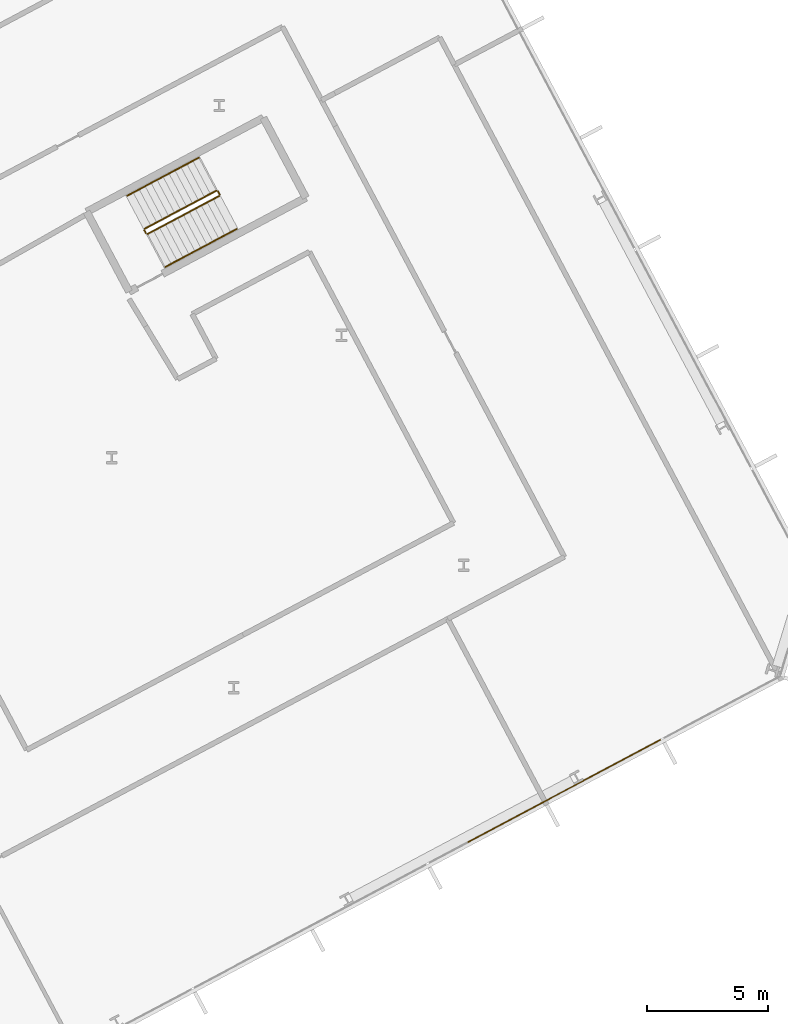
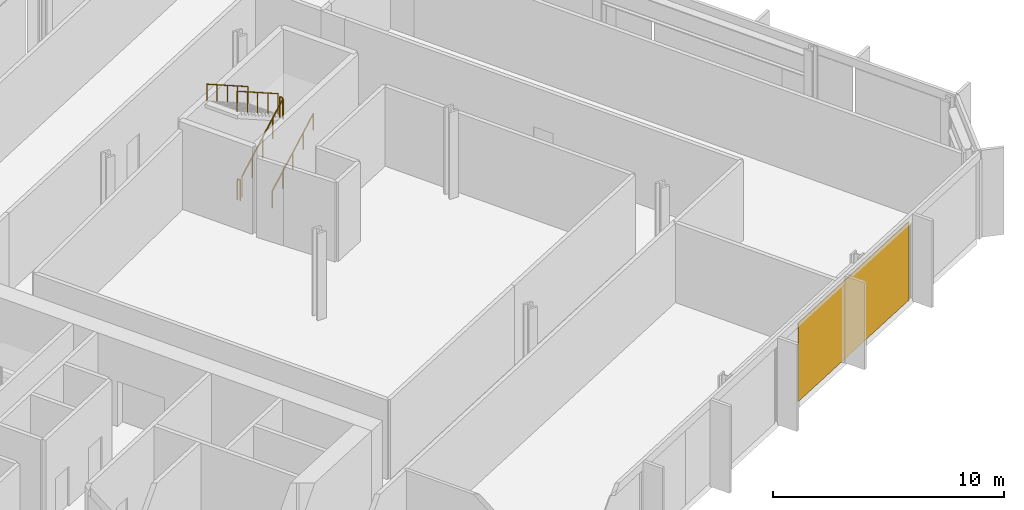
# One storey, part 29 of 30: 6 railings, 1 covering, 1 element without a shape of its own.
"""IFC4 building model written with IfcOpenShell, lengths in metres."""

from ifc_helpers import new_model, si_unit, direction, frame, origin, origin_2d, place, context, subcontext, project, spatial, polyline, rectangle, outline, extrude, material, layer, layer_set, type_object, element, aggregate, save


model = new_model("IFC4")

# Units and contexts
model_context = context("Model", 3, precision=1e-05, world=origin(), true_north=direction((0.0, 1.0)))
body_context = subcontext(model_context, "Body", "Model", "MODEL_VIEW")
ifc_project = project(units=[si_unit("LENGTHUNIT", "METRE"), si_unit("AREAUNIT", "SQUARE_METRE"), si_unit("VOLUMEUNIT", "CUBIC_METRE"), si_unit("PLANEANGLEUNIT", "RADIAN"), si_unit("MASSUNIT", "GRAM", prefix="KILO")], contexts=[model_context])

# Site, building, storey
site_placement = place(None, origin())
site = spatial("IfcSite", under=ifc_project, at=site_placement, CompositionType="ELEMENT")
building_placement = place(site_placement, origin())
building = spatial("IfcBuilding", under=site, at=building_placement, Name="Cormorant Relay Tower", CompositionType="ELEMENT")
storey_placement = place(building_placement, frame((0.0, 0.0, 84.60009765625)))
storey = spatial("IfcBuildingStorey", under=building, at=storey_placement, Name="L16", CompositionType="ELEMENT", Elevation=84.60009765625)

# Curtain wall, covering
ifc_material_1 = material(Name="Aluminium 6063-T6 anodised bronze", Category="aluminium")
ifc_layer_1 = layer(ifc_material_1, 0.199951171875)
ifc_layer_set_1 = layer_set([ifc_layer_1], Name="CW1 unitised bronze curtain wall with vertical fins")
curtain_wall_type = type_object("IfcCurtainWallType", Name="CW1 unitised bronze curtain wall with vertical fins", PredefinedType="NOTDEFINED", material=ifc_layer_set_1)
curtain_wall_placement = place(storey_placement, origin())
curtain_wall = element("IfcCurtainWall", 1, at=curtain_wall_placement, inside=storey, type_object=curtain_wall_type, Name="CW1 curtain wall 2", PredefinedType="NOTDEFINED")
ifc_material_2 = material(Name="Pale bronze anodised aluminium insulated panel", Category="aluminium")
ifc_layer_2 = layer(ifc_material_2, 0.0400390625)
ifc_layer_set_2 = layer_set([ifc_layer_2], Name="CW1 pale bronze insulated panel 40")
covering_type = type_object("IfcCoveringType", Name="CW1 pale bronze insulated panel 40", PredefinedType="CLADDING", material=ifc_layer_set_2)
covering_placement = place(storey_placement, frame((61.85302734375, 9.081298828125, 0.0), z_axis=(0.0, 0.0, 1.0), x_axis=(0.882947592859, 0.469471562786, 0.0)))
covering = element("IfcCovering", 2, at=covering_placement, type_object=covering_type, Name="CW1 panel S13", PredefinedType="CLADDING", context=body_context, shape_type="SweptSolid", body=[
    extrude(rectangle(XDim=9.07373046875, YDim=0.0400390625, at=origin_2d()), origin(), (0.0, 0.0, 1.0), 4.14990234375),
])
aggregate(curtain_wall, [covering])

# Railings
ifc_material_3 = material(Name="Steel ASTM A572 Grade 50 (Fy 345 MPa)", Category="steel")
railing_type_1 = type_object("IfcRailingType", Name="Stair guard 1100", PredefinedType="GUARDRAIL", material=ifc_material_3)
railing_1_placement = place(storey_placement, frame((44.583740234375, 32.186279296875, 0.1767578125)))
element("IfcRailing", 3, at=railing_1_placement, inside=storey, type_object=railing_type_1, Name="L16 RB1 stair guard 1", PredefinedType="GUARDRAIL", context=body_context, shape_type="SweptSolid", body=[
    extrude(outline(polyline([(0.022216796875, 0.00927734375), (0.00927734375, 0.022216796875), (-0.00927734375, 0.022216796875), (-0.022216796875, 0.00927734375), (-0.022216796875, -0.00927734375), (-0.00927734375, -0.022216796875), (0.00927734375, -0.022216796875), (0.022216796875, -0.00927734375), (0.022216796875, 0.00927734375)])), frame((0.0, 0.0, 1.076171875), z_axis=(0.746422470992, 0.396920836698, 0.534141689248), x_axis=(-0.469509342547, 0.882927503967, 0.0)), (0.0, 0.0, 1.0), 3.974609375),
    extrude(outline(polyline([(0.019287109375, 0.008056640625), (0.008056640625, 0.019287109375), (-0.008056640625, 0.019287109375), (-0.019287109375, 0.008056640625), (-0.019287109375, -0.008056640625), (-0.008056640625, -0.019287109375), (0.008056640625, -0.019287109375), (0.019287109375, -0.008056640625), (0.019287109375, 0.008056640625)])), origin(), (0.0, 0.0, 1.0), 1.052001953125),
    extrude(outline(polyline([(0.019287109375, 0.008056640625), (0.008056640625, 0.019287109375), (-0.008056640625, 0.019287109375), (-0.019287109375, 0.008056640625), (-0.019287109375, -0.008056640625), (-0.008056640625, -0.019287109375), (0.008056640625, -0.019287109375), (0.019287109375, -0.008056640625), (0.019287109375, 0.008056640625)])), frame((0.74169921875, 0.39453125, 0.53076171875)), (0.0, 0.0, 1.0), 1.052001953125),
    extrude(outline(polyline([(0.019287109375, 0.008056640625), (0.008056640625, 0.019287109375), (-0.008056640625, 0.019287109375), (-0.019287109375, 0.008056640625), (-0.019287109375, -0.008056640625), (-0.008056640625, -0.019287109375), (0.008056640625, -0.019287109375), (0.019287109375, -0.008056640625), (0.019287109375, 0.008056640625)])), frame((1.4833984375, 0.788818359375, 1.0615234375)), (0.0, 0.0, 1.0), 1.052001953125),
    extrude(outline(polyline([(0.019287109375, 0.008056640625), (0.008056640625, 0.019287109375), (-0.008056640625, 0.019287109375), (-0.019287109375, 0.008056640625), (-0.019287109375, -0.008056640625), (-0.008056640625, -0.019287109375), (0.008056640625, -0.019287109375), (0.019287109375, -0.008056640625), (0.019287109375, 0.008056640625)])), frame((2.22509765625, 1.18310546875, 1.59228515625)), (0.0, 0.0, 1.0), 1.052001953125),
    extrude(outline(polyline([(0.019287109375, 0.008056640625), (0.008056640625, 0.019287109375), (-0.008056640625, 0.019287109375), (-0.019287109375, 0.008056640625), (-0.019287109375, -0.008056640625), (-0.008056640625, -0.019287109375), (0.008056640625, -0.019287109375), (0.019287109375, -0.008056640625), (0.019287109375, 0.008056640625)])), frame((2.966796875, 1.57763671875, 2.123046875)), (0.0, 0.0, 1.0), 1.052001953125),
])
railing_2_placement = place(storey_placement, frame((47.571044921875, 33.831298828125, 2.2998046875)))
element("IfcRailing", 4, at=railing_2_placement, inside=storey, type_object=railing_type_1, Name="L16 RB1 stair guard 2", PredefinedType="GUARDRAIL", context=body_context, shape_type="SweptSolid", body=[
    extrude(outline(polyline([(0.022216796875, 0.00927734375), (0.00927734375, 0.022216796875), (-0.00927734375, 0.022216796875), (-0.022216796875, 0.00927734375), (-0.022216796875, -0.00927734375), (-0.00927734375, -0.022216796875), (0.00927734375, -0.022216796875), (0.022216796875, -0.00927734375), (0.022216796875, 0.00927734375)])), frame((0.0, 0.0, 1.076171875), z_axis=(-0.46856034887, 0.8834314911, 0.0), x_axis=(-0.8834314911, -0.46856034887, 0.0)), (0.0, 0.0, 1.0), 0.150146484375),
    extrude(outline(polyline([(0.019287109375, 0.008056640625), (0.008056640625, 0.019287109375), (-0.008056640625, 0.019287109375), (-0.019287109375, 0.008056640625), (-0.019287109375, -0.008056640625), (-0.008056640625, -0.019287109375), (0.008056640625, -0.019287109375), (0.019287109375, -0.008056640625), (0.019287109375, 0.008056640625)])), origin(), (0.0, 0.0, 1.0), 1.052001953125),
    extrude(outline(polyline([(0.019287109375, 0.008056640625), (0.008056640625, 0.019287109375), (-0.008056640625, 0.019287109375), (-0.019287109375, 0.008056640625), (-0.019287109375, -0.008056640625), (-0.008056640625, -0.019287109375), (0.008056640625, -0.019287109375), (0.019287109375, -0.008056640625), (0.019287109375, 0.008056640625)])), frame((-0.0703125, 0.132568359375, 0.0)), (0.0, 0.0, 1.0), 1.052001953125),
])
railing_3_placement = place(storey_placement, frame((47.43310546875, 33.984619140625, 2.476806640625)))
element("IfcRailing", 5, at=railing_3_placement, inside=storey, type_object=railing_type_1, Name="L16 RB1 stair guard 3", PredefinedType="GUARDRAIL", context=body_context, shape_type="SweptSolid", body=[
    extrude(outline(polyline([(0.022216796875, 0.00927734375), (0.00927734375, 0.022216796875), (-0.00927734375, 0.022216796875), (-0.022216796875, 0.00927734375), (-0.022216796875, -0.00927734375), (-0.00927734375, -0.022216796875), (0.00927734375, -0.022216796875), (0.022216796875, -0.00927734375), (0.022216796875, 0.00927734375)])), frame((0.0, 0.0, 1.076171875), z_axis=(-0.746440668329, -0.396869088057, 0.534154711306), x_axis=(0.46945269911, -0.882957622595, 0.0)), (0.0, 0.0, 1.0), 3.974609375),
    extrude(outline(polyline([(0.019287109375, 0.008056640625), (0.008056640625, 0.019287109375), (-0.008056640625, 0.019287109375), (-0.019287109375, 0.008056640625), (-0.019287109375, -0.008056640625), (-0.008056640625, -0.019287109375), (0.008056640625, -0.019287109375), (0.019287109375, -0.008056640625), (0.019287109375, 0.008056640625)])), origin(), (0.0, 0.0, 1.0), 1.052001953125),
    extrude(outline(polyline([(0.019287109375, 0.008056640625), (0.008056640625, 0.019287109375), (-0.008056640625, 0.019287109375), (-0.019287109375, 0.008056640625), (-0.019287109375, -0.008056640625), (-0.008056640625, -0.019287109375), (0.008056640625, -0.019287109375), (0.019287109375, -0.008056640625), (0.019287109375, 0.008056640625)])), frame((-0.74169921875, -0.394287109375, 0.53076171875)), (0.0, 0.0, 1.0), 1.052001953125),
    extrude(outline(polyline([(0.019287109375, 0.008056640625), (0.008056640625, 0.019287109375), (-0.008056640625, 0.019287109375), (-0.019287109375, 0.008056640625), (-0.019287109375, -0.008056640625), (-0.008056640625, -0.019287109375), (0.008056640625, -0.019287109375), (0.019287109375, -0.008056640625), (0.019287109375, 0.008056640625)])), frame((-1.4833984375, -0.78857421875, 1.0615234375)), (0.0, 0.0, 1.0), 1.052001953125),
    extrude(outline(polyline([(0.019287109375, 0.008056640625), (0.008056640625, 0.019287109375), (-0.008056640625, 0.019287109375), (-0.019287109375, 0.008056640625), (-0.019287109375, -0.008056640625), (-0.008056640625, -0.019287109375), (0.008056640625, -0.019287109375), (0.019287109375, -0.008056640625), (0.019287109375, 0.008056640625)])), frame((-2.22509765625, -1.18310546875, 1.59228515625)), (0.0, 0.0, 1.0), 1.052001953125),
    extrude(outline(polyline([(0.019287109375, 0.008056640625), (0.008056640625, 0.019287109375), (-0.008056640625, 0.019287109375), (-0.019287109375, 0.008056640625), (-0.019287109375, -0.008056640625), (-0.008056640625, -0.019287109375), (0.008056640625, -0.019287109375), (0.019287109375, -0.008056640625), (0.019287109375, 0.008056640625)])), frame((-2.966796875, -1.577392578125, 2.123046875)), (0.0, 0.0, 1.0), 1.052001953125),
])
railing_4_placement = place(storey_placement, frame((44.51611328125, 32.20703125, 0.0)))
element("IfcRailing", 6, at=railing_4_placement, inside=storey, type_object=railing_type_1, Name="L16 RB1 stair guard 4", PredefinedType="GUARDRAIL", context=body_context, shape_type="SweptSolid", body=[
    extrude(outline(polyline([(0.022216796875, 0.00927734375), (0.00927734375, 0.022216796875), (-0.00927734375, 0.022216796875), (-0.022216796875, 0.00927734375), (-0.022216796875, -0.00927734375), (-0.00927734375, -0.022216796875), (0.00927734375, -0.022216796875), (0.022216796875, -0.00927734375), (0.022216796875, 0.00927734375)])), frame((0.0, 0.0, 1.076171875), z_axis=(-0.46856034887, 0.8834314911, 0.0), x_axis=(-0.8834314911, -0.46856034887, 0.0)), (0.0, 0.0, 1.0), 0.150146484375),
    extrude(outline(polyline([(0.019287109375, 0.008056640625), (0.008056640625, 0.019287109375), (-0.008056640625, 0.019287109375), (-0.019287109375, 0.008056640625), (-0.019287109375, -0.008056640625), (-0.008056640625, -0.019287109375), (0.008056640625, -0.019287109375), (0.019287109375, -0.008056640625), (0.019287109375, 0.008056640625)])), origin(), (0.0, 0.0, 1.0), 1.052001953125),
    extrude(outline(polyline([(0.019287109375, 0.008056640625), (0.008056640625, 0.019287109375), (-0.008056640625, 0.019287109375), (-0.019287109375, 0.008056640625), (-0.019287109375, -0.008056640625), (-0.008056640625, -0.019287109375), (0.008056640625, -0.019287109375), (0.019287109375, -0.008056640625), (0.019287109375, 0.008056640625)])), frame((-0.0703125, 0.132568359375, 0.0)), (0.0, 0.0, 1.0), 1.052001953125),
])
ifc_material_4 = material(Name="Steel ASTM A572 Grade 50 (Fy 345 MPa)", Category="steel")
railing_type_2 = type_object("IfcRailingType", Name="Stair handrail 900", PredefinedType="HANDRAIL", material=ifc_material_4)
railing_5_placement = place(storey_placement, frame((45.3115234375, 30.81787109375, 0.1767578125)))
element("IfcRailing", 7, at=railing_5_placement, inside=storey, type_object=railing_type_2, Name="L16 RB1 stair handrail 1", PredefinedType="HANDRAIL", context=body_context, shape_type="SweptSolid", body=[
    extrude(outline(polyline([(0.022216796875, 0.00927734375), (0.00927734375, 0.022216796875), (-0.00927734375, 0.022216796875), (-0.022216796875, 0.00927734375), (-0.022216796875, -0.00927734375), (-0.00927734375, -0.022216796875), (0.00927734375, -0.022216796875), (0.022216796875, -0.00927734375), (0.022216796875, 0.00927734375)])), frame((0.0, 0.0, 0.8759765625), z_axis=(0.746413465702, 0.396887285154, 0.534179203172), x_axis=(-0.469482818608, 0.88294160794, 0.0)), (0.0, 0.0, 1.0), 3.974365234375),
    extrude(outline(polyline([(0.019287109375, 0.008056640625), (0.008056640625, 0.019287109375), (-0.008056640625, 0.019287109375), (-0.019287109375, 0.008056640625), (-0.019287109375, -0.008056640625), (-0.008056640625, -0.019287109375), (0.008056640625, -0.019287109375), (0.019287109375, -0.008056640625), (0.019287109375, 0.008056640625)])), origin(), (0.0, 0.0, 1.0), 0.851806640625),
    extrude(outline(polyline([(0.019287109375, 0.008056640625), (0.008056640625, 0.019287109375), (-0.008056640625, 0.019287109375), (-0.019287109375, 0.008056640625), (-0.019287109375, -0.008056640625), (-0.008056640625, -0.019287109375), (0.008056640625, -0.019287109375), (0.019287109375, -0.008056640625), (0.019287109375, 0.008056640625)])), frame((0.74169921875, 0.394287109375, 0.53076171875)), (0.0, 0.0, 1.0), 0.851806640625),
    extrude(outline(polyline([(0.019287109375, 0.008056640625), (0.008056640625, 0.019287109375), (-0.008056640625, 0.019287109375), (-0.019287109375, 0.008056640625), (-0.019287109375, -0.008056640625), (-0.008056640625, -0.019287109375), (0.008056640625, -0.019287109375), (0.019287109375, -0.008056640625), (0.019287109375, 0.008056640625)])), frame((1.4833984375, 0.78857421875, 1.0615234375)), (0.0, 0.0, 1.0), 0.851806640625),
    extrude(outline(polyline([(0.019287109375, 0.008056640625), (0.008056640625, 0.019287109375), (-0.008056640625, 0.019287109375), (-0.019287109375, 0.008056640625), (-0.019287109375, -0.008056640625), (-0.008056640625, -0.019287109375), (0.008056640625, -0.019287109375), (0.019287109375, -0.008056640625), (0.019287109375, 0.008056640625)])), frame((2.224853515625, 1.18310546875, 1.59228515625)), (0.0, 0.0, 1.0), 0.851806640625),
    extrude(outline(polyline([(0.019287109375, 0.008056640625), (0.008056640625, 0.019287109375), (-0.008056640625, 0.019287109375), (-0.019287109375, 0.008056640625), (-0.019287109375, -0.008056640625), (-0.008056640625, -0.019287109375), (0.008056640625, -0.019287109375), (0.019287109375, -0.008056640625), (0.019287109375, 0.008056640625)])), frame((2.966552734375, 1.577392578125, 2.123046875)), (0.0, 0.0, 1.0), 0.851806640625),
])
railing_6_placement = place(storey_placement, frame((46.705322265625, 35.35302734375, 2.476806640625)))
element("IfcRailing", 8, at=railing_6_placement, inside=storey, type_object=railing_type_2, Name="L16 RB1 stair handrail 2", PredefinedType="HANDRAIL", context=body_context, shape_type="SweptSolid", body=[
    extrude(outline(polyline([(0.022216796875, 0.00927734375), (0.00927734375, 0.022216796875), (-0.00927734375, 0.022216796875), (-0.022216796875, 0.00927734375), (-0.022216796875, -0.00927734375), (-0.00927734375, -0.022216796875), (0.00927734375, -0.022216796875), (0.022216796875, -0.00927734375), (0.022216796875, 0.00927734375)])), frame((0.0, 0.0, 0.8759765625), z_axis=(-0.746413465702, -0.396887285154, 0.534179203172), x_axis=(0.469482818608, -0.88294160794, 0.0)), (0.0, 0.0, 1.0), 3.974365234375),
    extrude(outline(polyline([(0.019287109375, 0.008056640625), (0.008056640625, 0.019287109375), (-0.008056640625, 0.019287109375), (-0.019287109375, 0.008056640625), (-0.019287109375, -0.008056640625), (-0.008056640625, -0.019287109375), (0.008056640625, -0.019287109375), (0.019287109375, -0.008056640625), (0.019287109375, 0.008056640625)])), origin(), (0.0, 0.0, 1.0), 0.851806640625),
    extrude(outline(polyline([(0.019287109375, 0.008056640625), (0.008056640625, 0.019287109375), (-0.008056640625, 0.019287109375), (-0.019287109375, 0.008056640625), (-0.019287109375, -0.008056640625), (-0.008056640625, -0.019287109375), (0.008056640625, -0.019287109375), (0.019287109375, -0.008056640625), (0.019287109375, 0.008056640625)])), frame((-0.74169921875, -0.394287109375, 0.53076171875)), (0.0, 0.0, 1.0), 0.851806640625),
    extrude(outline(polyline([(0.019287109375, 0.008056640625), (0.008056640625, 0.019287109375), (-0.008056640625, 0.019287109375), (-0.019287109375, 0.008056640625), (-0.019287109375, -0.008056640625), (-0.008056640625, -0.019287109375), (0.008056640625, -0.019287109375), (0.019287109375, -0.008056640625), (0.019287109375, 0.008056640625)])), frame((-1.4833984375, -0.78857421875, 1.0615234375)), (0.0, 0.0, 1.0), 0.851806640625),
    extrude(outline(polyline([(0.019287109375, 0.008056640625), (0.008056640625, 0.019287109375), (-0.008056640625, 0.019287109375), (-0.019287109375, 0.008056640625), (-0.019287109375, -0.008056640625), (-0.008056640625, -0.019287109375), (0.008056640625, -0.019287109375), (0.019287109375, -0.008056640625), (0.019287109375, 0.008056640625)])), frame((-2.224853515625, -1.18310546875, 1.59228515625)), (0.0, 0.0, 1.0), 0.851806640625),
    extrude(outline(polyline([(0.019287109375, 0.008056640625), (0.008056640625, 0.019287109375), (-0.008056640625, 0.019287109375), (-0.019287109375, 0.008056640625), (-0.019287109375, -0.008056640625), (-0.008056640625, -0.019287109375), (0.008056640625, -0.019287109375), (0.019287109375, -0.008056640625), (0.019287109375, 0.008056640625)])), frame((-2.966552734375, -1.577392578125, 2.123046875)), (0.0, 0.0, 1.0), 0.851806640625),
])

save(model, "model.ifc")
